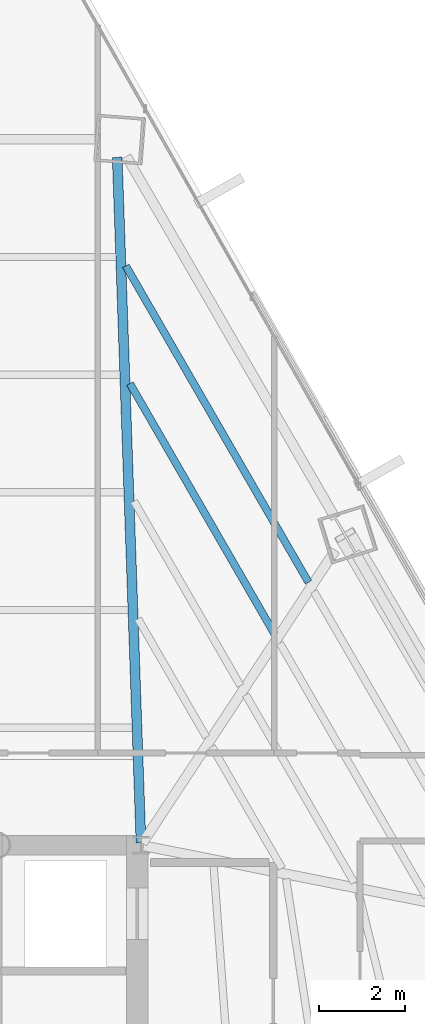
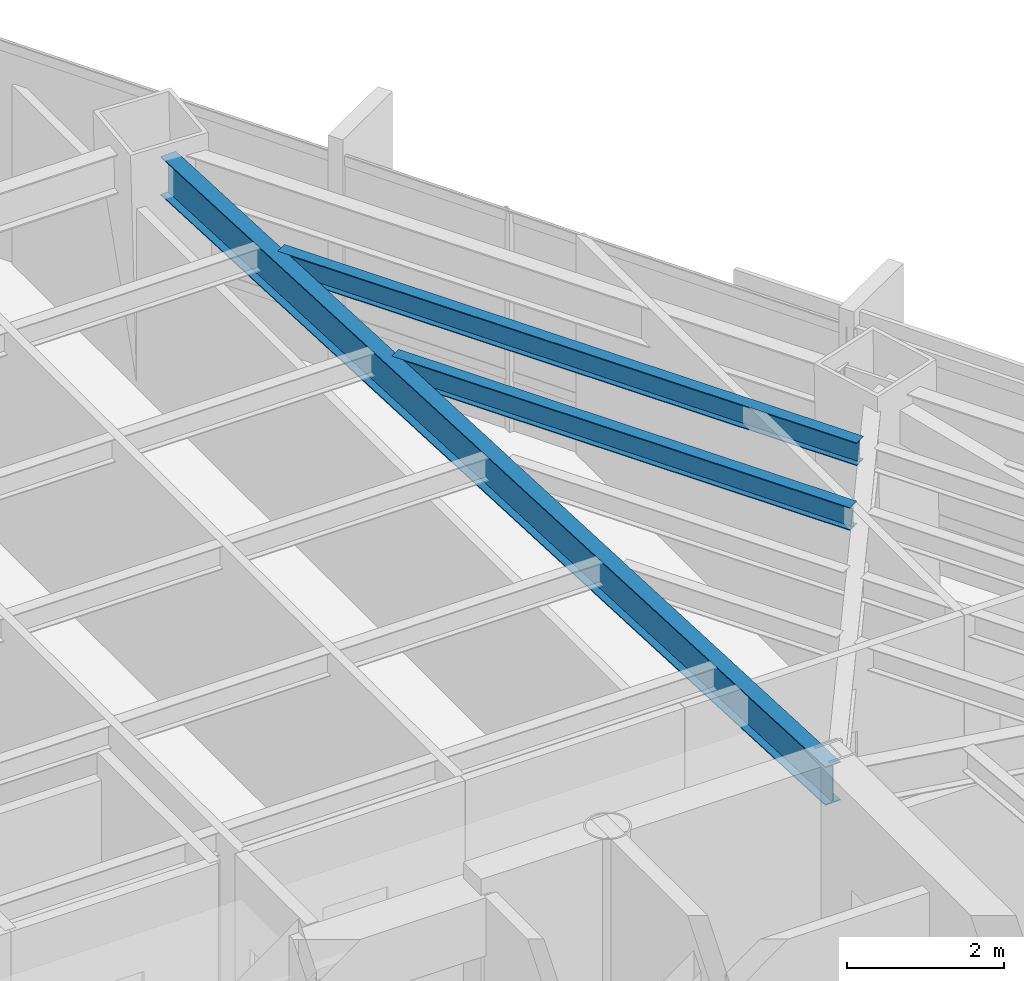
# One storey, part 26 of 35: 3 beams.
"""IFC4 building model written with IfcOpenShell, lengths in metres."""

import ifcopenshell
import ifcopenshell.guid

model = None  # the IFC model being written
_history = None  # IfcOwnerHistory: only IFC2X3 demands one
_inside = {}  # id of a spatial element -> (the spatial element, [elements in it])
_under = {}  # id of a project, library or spatial element -> (it, [spatial elements below it])
_declared = {}  # id of a project -> (the project, [libraries it declares])
_typed = {}  # id of a type object -> (the type object, [elements of that type])
_made_of = {}  # id of a material, layer set ... -> (it, [elements and type objects made of it])


def new_model(schema):
    """Start an empty IFC model of exactly this schema.

    Asked for "IFC4X3", IfcOpenShell would pick the latest addendum, in which some entities
    have other attributes; the version numbers below select the first issue.
    IFC2X3 requires an IfcOwnerHistory on every rooted entity: one is made here for all.
    """
    global model, _history
    if schema == "IFC4X3":
        model = ifcopenshell.file(schema_version=(4, 3, 0, 0))
    else:
        model = ifcopenshell.file(schema=schema)
    _inside.clear()
    _under.clear()
    _declared.clear()
    _typed.clear()
    _made_of.clear()
    _history = None
    if model.schema == "IFC2X3":
        org = make("IfcOrganization", Name="unknown")
        user = make(
            "IfcPersonAndOrganization",
            ThePerson=make("IfcPerson", FamilyName="unknown"),
            TheOrganization=org,
        )
        app = make(
            "IfcApplication",
            ApplicationDeveloper=org,
            Version="unknown",
            ApplicationFullName="unknown",
            ApplicationIdentifier="unknown",
        )
        _history = make(
            "IfcOwnerHistory",
            OwningUser=user,
            OwningApplication=app,
            ChangeAction="ADDED",
            CreationDate=0,
        )
    return model


def make(cls, **values):
    """One entity of the class cls with the attributes given. An attribute that is None is left unset."""
    return model.create_entity(
        cls, **{name: value for name, value in values.items() if value is not None}
    )


def rooted(cls, **values):
    """An entity with a GlobalId (a new one), such as an element, a storey or a relation."""
    return make(cls, GlobalId=ifcopenshell.guid.new(), OwnerHistory=_history, **values)


def si_unit(unit_type, name, prefix=None):
    """IfcSIUnit, for example si_unit("LENGTHUNIT", "METRE", prefix="MILLI")."""
    return make("IfcSIUnit", UnitType=unit_type, Prefix=prefix, Name=name)


def assignment(units):
    """IfcUnitAssignment: the units of a project."""
    return None if units is None else make("IfcUnitAssignment", Units=units)


def point(xyz):
    """IfcCartesianPoint."""
    return None if xyz is None else make("IfcCartesianPoint", Coordinates=xyz)


def direction(xyz):
    """IfcDirection."""
    return None if xyz is None else make("IfcDirection", DirectionRatios=xyz)


def frame(location, z_axis=None, x_axis=None):
    """IfcAxis2Placement3D, a coordinate frame: its origin and axes. An axis left out is left unset."""
    return make(
        "IfcAxis2Placement3D",
        Location=point(location),
        Axis=direction(z_axis),
        RefDirection=direction(x_axis),
    )


def frame_2d(location, x_axis=None):
    """IfcAxis2Placement2D, a coordinate frame in the plane: its origin and x axis."""
    return make(
        "IfcAxis2Placement2D", Location=point(location), RefDirection=direction(x_axis)
    )


def origin():
    """The frame at (0, 0, 0) with its axes left unset."""
    return frame((0.0, 0.0, 0.0))


def origin_2d():
    """The frame at (0, 0) in the plane with its x axis left unset."""
    return frame_2d((0.0, 0.0))


def place(relative_to, where):
    """IfcLocalPlacement: puts the frame where relative to a parent placement (None: the world)."""
    return make(
        "IfcLocalPlacement", PlacementRelTo=relative_to, RelativePlacement=where
    )


def context(
    kind, dimensions, precision=None, world=None, true_north=None, identifier=None
):
    """IfcGeometricRepresentationContext, for example the 3D "Model" context."""
    return make(
        "IfcGeometricRepresentationContext",
        ContextIdentifier=identifier,
        ContextType=kind,
        CoordinateSpaceDimension=dimensions,
        Precision=precision,
        WorldCoordinateSystem=world,
        TrueNorth=true_north,
    )


def subcontext(parent, identifier, kind, view, scale=None):
    """IfcGeometricRepresentationSubContext, for example "Body" below "Model"."""
    return make(
        "IfcGeometricRepresentationSubContext",
        ContextIdentifier=identifier,
        ContextType=kind,
        ParentContext=parent,
        TargetScale=scale,
        TargetView=view,
    )


def project(units=None, contexts=None):
    """IfcProject with its units and contexts."""
    return rooted(
        "IfcProject",
        Name="project",
        RepresentationContexts=contexts,
        UnitsInContext=assignment(units),
    )


def spatial(cls, under=None, at=None, **own):
    """A site, building, storey or space (cls), placed at a placement, below another one or the project."""
    s = rooted(cls, ObjectPlacement=at, **own)
    if under is not None:
        _under.setdefault(under.id(), (under, []))[1].append(s)
    return s


def profile(cls, at=None, kind="AREA", **sizes):
    """A parametric profile (cls). Its sizes go by their IFC names, for example OverallWidth=200.0."""
    return make(cls, ProfileType=kind, Position=at, **sizes)


def i_section(**sizes):
    """IfcIShapeProfileDef."""
    return profile("IfcIShapeProfileDef", **sizes)


def extrude(swept, where, along, depth):
    """IfcExtrudedAreaSolid: the profile swept, set in the frame where, extruded along a direction by depth."""
    return make(
        "IfcExtrudedAreaSolid",
        SweptArea=swept,
        Position=where,
        ExtrudedDirection=direction(along),
        Depth=depth,
    )


def shape(context_of_items, identifier, shape_type, items):
    """IfcShapeRepresentation: the items that make up one representation, for example the "Body"."""
    return make(
        "IfcShapeRepresentation",
        ContextOfItems=context_of_items,
        RepresentationIdentifier=identifier,
        RepresentationType=shape_type,
        Items=items,
    )


def source(mapping_origin, context_of_items, identifier, shape_type, items):
    """IfcRepresentationMap: a shape defined once, which mapped items show again and again."""
    return make(
        "IfcRepresentationMap",
        MappingOrigin=mapping_origin,
        MappedRepresentation=shape(context_of_items, identifier, shape_type, items),
    )


def transform(
    local_origin,
    x_axis=None,
    y_axis=None,
    z_axis=None,
    scale=None,
    scale2=None,
    scale3=None,
    uniform=True,
):
    """IfcCartesianTransformationOperator3D, or its non-uniform kind. x_axis, y_axis, z_axis: its Axis1, 2, 3."""
    if uniform:
        return make(
            "IfcCartesianTransformationOperator3D",
            Axis1=direction(x_axis),
            Axis2=direction(y_axis),
            LocalOrigin=point(local_origin),
            Scale=scale,
            Axis3=direction(z_axis),
        )
    return make(
        "IfcCartesianTransformationOperator3DnonUniform",
        Axis1=direction(x_axis),
        Axis2=direction(y_axis),
        LocalOrigin=point(local_origin),
        Scale=scale,
        Axis3=direction(z_axis),
        Scale2=scale2,
        Scale3=scale3,
    )


def mapped(mapping_source, mapping_target):
    """IfcMappedItem: shows the shape of a source again, moved by a transform."""
    return make(
        "IfcMappedItem", MappingSource=mapping_source, MappingTarget=mapping_target
    )


def material(Name=None, Category=None):
    """IfcMaterial."""
    return make("IfcMaterial", Name=Name, Category=Category)


def material_profile(
    of_material, cross_section, Name=None, Category=None, Priority=None
):
    """IfcMaterialProfile: a cross section and its material."""
    return make(
        "IfcMaterialProfile",
        Name=Name,
        Material=of_material,
        Profile=cross_section,
        Priority=Priority,
        Category=Category,
    )


def profile_set(profiles, Name=None, composite=None):
    """IfcMaterialProfileSet."""
    return make(
        "IfcMaterialProfileSet",
        Name=Name,
        MaterialProfiles=profiles,
        CompositeProfile=composite,
    )


def made_of(thing, what):
    """Note that an element or type object is made of a material, layer set ...; save() writes the relation."""
    if what is not None:
        _made_of.setdefault(what.id(), (what, []))[1].append(thing)
    return thing


def type_object(cls, material=None, **own):
    """A type object (cls), such as IfcWallType, which elements share."""
    return made_of(rooted(cls, **own), material)


def type_shapes(of_type, sources):
    """Give a type object the sources (RepresentationMaps) that its elements show as mapped items."""
    of_type.RepresentationMaps = sources


def element(
    cls,
    number,
    at=None,
    inside=None,
    cuts=None,
    type_object=None,
    material=None,
    context=None,
    identifier="Body",
    shape_type=None,
    held_by="IfcProductDefinitionShape",
    body=None,
    shapes=None,
    **own,
):
    """One element of the class cls, such as IfcWall. Its Tag is "e" and its number.

    at: its placement. inside: the storey or other place that contains it. cuts: it is an
    opening in that element (IfcRelVoidsElement). A single representation is given by context,
    identifier, shape_type and body (its items); several are given by shapes. held_by: the class
    of the entity that holds the representations. save() writes the other relations.
    """
    e = rooted(cls, Tag="e%d" % number, ObjectPlacement=at, **own)
    if body is not None:
        shapes = [shape(context, identifier, shape_type, body)]
    if shapes is not None:
        e.Representation = make(held_by, Representations=shapes)
    if inside is not None:
        _inside.setdefault(inside.id(), (inside, []))[1].append(e)
    if cuts is not None:
        rooted(
            "IfcRelVoidsElement", RelatingBuildingElement=cuts, RelatedOpeningElement=e
        )
    if type_object is not None:
        _typed.setdefault(type_object.id(), (type_object, []))[1].append(e)
    return made_of(e, material)


def aggregate(whole, parts):
    """IfcRelAggregates: a whole, such as a stair, and the parts it consists of."""
    return rooted("IfcRelAggregates", RelatingObject=whole, RelatedObjects=parts)


def save(model, path):
    """Write the relations noted so far, then the file.

    IfcRelAggregates (storeys below a building ...), IfcRelContainedInSpatialStructure (elements
    in a storey), IfcRelDefinesByType, IfcRelAssociatesMaterial and IfcRelDeclares: one each for
    every whole, place, type object, material and project.
    """
    for whole, parts in _under.values():
        aggregate(whole, parts)
    for where, things in _inside.values():
        rooted(
            "IfcRelContainedInSpatialStructure",
            RelatedElements=things,
            RelatingStructure=where,
        )
    for kind, things in _typed.values():
        rooted("IfcRelDefinesByType", RelatedObjects=things, RelatingType=kind)
    for what, things in _made_of.values():
        rooted("IfcRelAssociatesMaterial", RelatedObjects=things, RelatingMaterial=what)
    for by, libraries in _declared.values():
        rooted("IfcRelDeclares", RelatingContext=by, RelatedDefinitions=libraries)
    model.write(path)


model = new_model("IFC4")

# Units and contexts
model_context = context("Model", 3, precision=1e-05, world=origin(), true_north=direction((0.0, 1.0)))
body_context = subcontext(model_context, "Body", "Model", "MODEL_VIEW")
ifc_project = project(units=[si_unit("LENGTHUNIT", "METRE"), si_unit("AREAUNIT", "SQUARE_METRE"), si_unit("VOLUMEUNIT", "CUBIC_METRE"), si_unit("PLANEANGLEUNIT", "RADIAN"), si_unit("MASSUNIT", "GRAM", prefix="KILO")], contexts=[model_context])

# Site, building, storey
site_placement = place(None, origin())
site = spatial("IfcSite", under=ifc_project, at=site_placement, CompositionType="ELEMENT")
building_placement = place(site_placement, origin())
building = spatial("IfcBuilding", under=site, at=building_placement, Name="Caelisora Broadcast Tower", CompositionType="ELEMENT")
storey_placement = place(building_placement, frame((0.0, 0.0, 123.64990234375)))
storey = spatial("IfcBuildingStorey", under=building, at=storey_placement, Name="L32", CompositionType="ELEMENT", Elevation=123.64990234375)

# Beams
ifc_material = material(Name="Steel Grade 350 (AS/NZS 3679.1)", Category="steel")
ifc_material_profile_1 = material_profile(ifc_material, i_section(OverallWidth=0.22802734375, OverallDepth=0.602294921875, WebThickness=0.010498046875, FlangeThickness=0.014892578125, at=origin_2d()), Name="Steel Grade 350 (AS/NZS 3679.1)")
ifc_profile_set_1 = profile_set([ifc_material_profile_1], Name="Steel Grade 350 (AS/NZS 3679.1)")
beam_type_1 = type_object("IfcBeamType", Name="PG04", PredefinedType="BEAM", material=ifc_profile_set_1)
shared_shape_1 = source(origin(), body_context, "Body", "SweptSolid", [
    extrude(i_section(OverallWidth=0.22802734375, OverallDepth=0.602294921875, WebThickness=0.010498046875, FlangeThickness=0.014892578125, at=origin_2d()), origin(), (0.0, 0.0, 1.0), 15.977294921875),
])
type_shapes(beam_type_1, [shared_shape_1])
beam_1_placement = place(storey_placement, frame((45.497802734375, 30.06005859375, 3.098876953125), z_axis=(-0.034640685855, 0.999399831341, 0.0), x_axis=(-0.999399831341, -0.034640685855, 0.0)))
element("IfcBeam", 1, at=beam_1_placement, inside=storey, type_object=beam_type_1, Name="L32 beam PG04", PredefinedType="BEAM", context=body_context, shape_type="MappedRepresentation", body=[
    mapped(shared_shape_1, transform((0.0, 0.0, 0.0), scale=1.0)),
])
ifc_material_profile_2 = material_profile(ifc_material, i_section(OverallWidth=0.172119140625, OverallDepth=0.358642578125, WebThickness=0.008056640625, FlangeThickness=0.012939453125, at=origin_2d()), Name="Steel Grade 350 (AS/NZS 3679.1)")
ifc_profile_set_2 = profile_set([ifc_material_profile_2], Name="Steel Grade 350 (AS/NZS 3679.1)")
beam_type_2 = type_object("IfcBeamType", Name="SB02", PredefinedType="JOIST", material=ifc_profile_set_2)
shared_shape_2 = source(origin(), body_context, "Body", "SweptSolid", [
    extrude(i_section(OverallWidth=0.172119140625, OverallDepth=0.358642578125, WebThickness=0.008056640625, FlangeThickness=0.012939453125, at=origin_2d()), origin(), (0.0, 0.0, 1.0), 6.735595703125),
])
beam_2_placement = place(storey_placement, frame((48.607666015625, 34.924072265625, 3.220703125), z_axis=(-0.500010058657, 0.866019596338, 0.0), x_axis=(-0.866019596338, -0.500010058657, 0.0)))
element("IfcBeam", 2, at=beam_2_placement, inside=storey, type_object=beam_type_2, Name="L32 beam SB02", PredefinedType="JOIST", context=body_context, shape_type="MappedRepresentation", body=[
    mapped(shared_shape_2, transform((0.0, 0.0, 0.0), scale=1.0)),
])
shared_shape_3 = source(origin(), body_context, "Body", "SweptSolid", [
    extrude(i_section(OverallWidth=0.172119140625, OverallDepth=0.358642578125, WebThickness=0.008056640625, FlangeThickness=0.012939453125, at=origin_2d()), origin(), (0.0, 0.0, 1.0), 8.510986328125),
])
type_shapes(beam_type_2, [shared_shape_2, shared_shape_3])
beam_3_placement = place(storey_placement, frame((49.400146484375, 36.1279296875, 3.220703125), z_axis=(-0.499983176524, 0.866035116605, 0.0), x_axis=(-0.866035116605, -0.499983176524, 0.0)))
element("IfcBeam", 3, at=beam_3_placement, inside=storey, type_object=beam_type_2, Name="L32 beam SB02", PredefinedType="JOIST", context=body_context, shape_type="MappedRepresentation", body=[
    mapped(shared_shape_3, transform((0.0, 0.0, 0.0), scale=1.0)),
])

save(model, "model.ifc")
